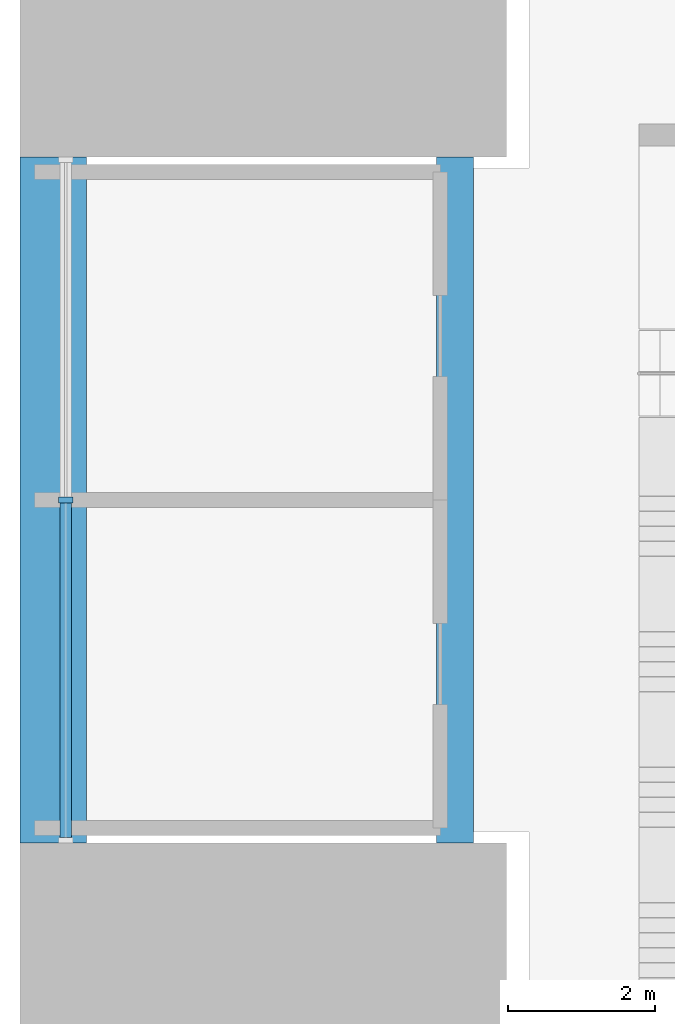
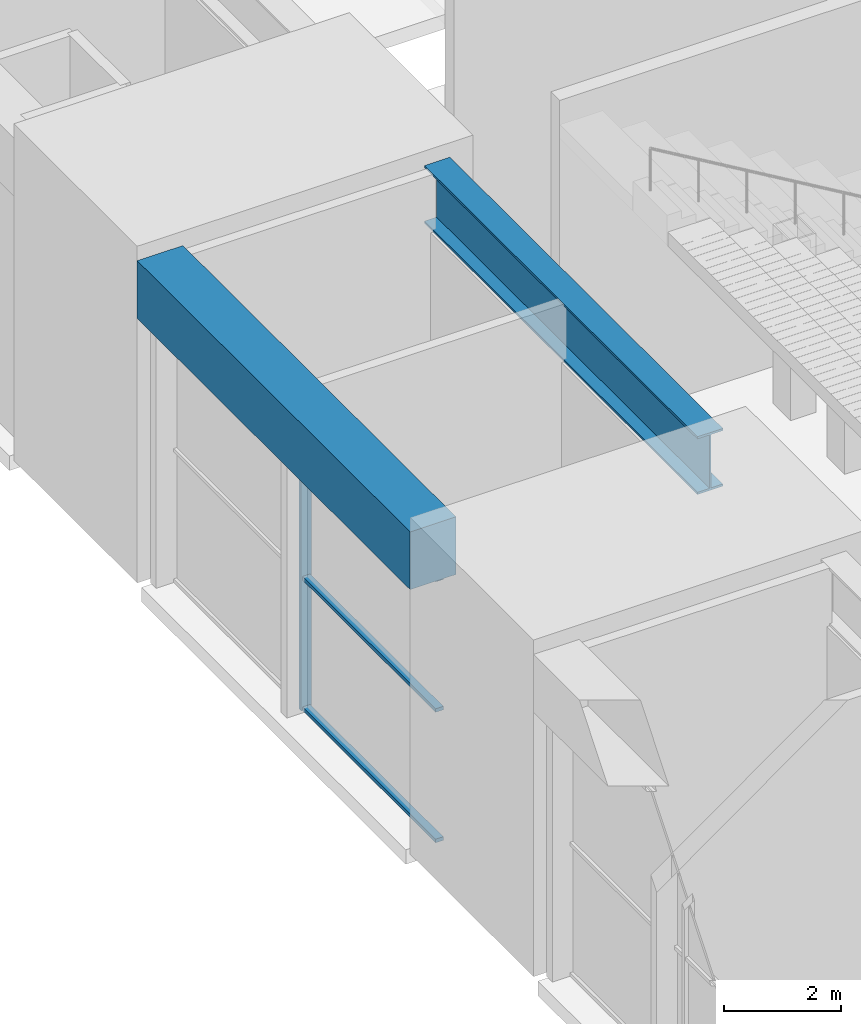
# One storey, part 5 of 62: 4 members, 2 beams, 1 element without a shape of its own.
"""IFC4 building model written with IfcOpenShell, lengths in metres."""

import ifcopenshell
import ifcopenshell.guid

model = None  # the IFC model being written
_history = None  # IfcOwnerHistory: only IFC2X3 demands one
_inside = {}  # id of a spatial element -> (the spatial element, [elements in it])
_under = {}  # id of a project, library or spatial element -> (it, [spatial elements below it])
_declared = {}  # id of a project -> (the project, [libraries it declares])
_typed = {}  # id of a type object -> (the type object, [elements of that type])
_made_of = {}  # id of a material, layer set ... -> (it, [elements and type objects made of it])


def new_model(schema):
    """Start an empty IFC model of exactly this schema.

    Asked for "IFC4X3", IfcOpenShell would pick the latest addendum, in which some entities
    have other attributes; the version numbers below select the first issue.
    IFC2X3 requires an IfcOwnerHistory on every rooted entity: one is made here for all.
    """
    global model, _history
    if schema == "IFC4X3":
        model = ifcopenshell.file(schema_version=(4, 3, 0, 0))
    else:
        model = ifcopenshell.file(schema=schema)
    _inside.clear()
    _under.clear()
    _declared.clear()
    _typed.clear()
    _made_of.clear()
    _history = None
    if model.schema == "IFC2X3":
        org = make("IfcOrganization", Name="unknown")
        user = make(
            "IfcPersonAndOrganization",
            ThePerson=make("IfcPerson", FamilyName="unknown"),
            TheOrganization=org,
        )
        app = make(
            "IfcApplication",
            ApplicationDeveloper=org,
            Version="unknown",
            ApplicationFullName="unknown",
            ApplicationIdentifier="unknown",
        )
        _history = make(
            "IfcOwnerHistory",
            OwningUser=user,
            OwningApplication=app,
            ChangeAction="ADDED",
            CreationDate=0,
        )
    return model


def make(cls, **values):
    """One entity of the class cls with the attributes given. An attribute that is None is left unset."""
    return model.create_entity(
        cls, **{name: value for name, value in values.items() if value is not None}
    )


def rooted(cls, **values):
    """An entity with a GlobalId (a new one), such as an element, a storey or a relation."""
    return make(cls, GlobalId=ifcopenshell.guid.new(), OwnerHistory=_history, **values)


def si_unit(unit_type, name, prefix=None):
    """IfcSIUnit, for example si_unit("LENGTHUNIT", "METRE", prefix="MILLI")."""
    return make("IfcSIUnit", UnitType=unit_type, Prefix=prefix, Name=name)


def assignment(units):
    """IfcUnitAssignment: the units of a project."""
    return None if units is None else make("IfcUnitAssignment", Units=units)


def point(xyz):
    """IfcCartesianPoint."""
    return None if xyz is None else make("IfcCartesianPoint", Coordinates=xyz)


def direction(xyz):
    """IfcDirection."""
    return None if xyz is None else make("IfcDirection", DirectionRatios=xyz)


def frame(location, z_axis=None, x_axis=None):
    """IfcAxis2Placement3D, a coordinate frame: its origin and axes. An axis left out is left unset."""
    return make(
        "IfcAxis2Placement3D",
        Location=point(location),
        Axis=direction(z_axis),
        RefDirection=direction(x_axis),
    )


def frame_2d(location, x_axis=None):
    """IfcAxis2Placement2D, a coordinate frame in the plane: its origin and x axis."""
    return make(
        "IfcAxis2Placement2D", Location=point(location), RefDirection=direction(x_axis)
    )


def origin():
    """The frame at (0, 0, 0) with its axes left unset."""
    return frame((0.0, 0.0, 0.0))


def origin_2d():
    """The frame at (0, 0) in the plane with its x axis left unset."""
    return frame_2d((0.0, 0.0))


def place(relative_to, where):
    """IfcLocalPlacement: puts the frame where relative to a parent placement (None: the world)."""
    return make(
        "IfcLocalPlacement", PlacementRelTo=relative_to, RelativePlacement=where
    )


def context(
    kind, dimensions, precision=None, world=None, true_north=None, identifier=None
):
    """IfcGeometricRepresentationContext, for example the 3D "Model" context."""
    return make(
        "IfcGeometricRepresentationContext",
        ContextIdentifier=identifier,
        ContextType=kind,
        CoordinateSpaceDimension=dimensions,
        Precision=precision,
        WorldCoordinateSystem=world,
        TrueNorth=true_north,
    )


def subcontext(parent, identifier, kind, view, scale=None):
    """IfcGeometricRepresentationSubContext, for example "Body" below "Model"."""
    return make(
        "IfcGeometricRepresentationSubContext",
        ContextIdentifier=identifier,
        ContextType=kind,
        ParentContext=parent,
        TargetScale=scale,
        TargetView=view,
    )


def project(units=None, contexts=None):
    """IfcProject with its units and contexts."""
    return rooted(
        "IfcProject",
        Name="project",
        RepresentationContexts=contexts,
        UnitsInContext=assignment(units),
    )


def spatial(cls, under=None, at=None, **own):
    """A site, building, storey or space (cls), placed at a placement, below another one or the project."""
    s = rooted(cls, ObjectPlacement=at, **own)
    if under is not None:
        _under.setdefault(under.id(), (under, []))[1].append(s)
    return s


def profile(cls, at=None, kind="AREA", **sizes):
    """A parametric profile (cls). Its sizes go by their IFC names, for example OverallWidth=200.0."""
    return make(cls, ProfileType=kind, Position=at, **sizes)


def rectangle(**sizes):
    """IfcRectangleProfileDef."""
    return profile("IfcRectangleProfileDef", **sizes)


def i_section(**sizes):
    """IfcIShapeProfileDef."""
    return profile("IfcIShapeProfileDef", **sizes)


def extrude(swept, where, along, depth):
    """IfcExtrudedAreaSolid: the profile swept, set in the frame where, extruded along a direction by depth."""
    return make(
        "IfcExtrudedAreaSolid",
        SweptArea=swept,
        Position=where,
        ExtrudedDirection=direction(along),
        Depth=depth,
    )


def shape(context_of_items, identifier, shape_type, items):
    """IfcShapeRepresentation: the items that make up one representation, for example the "Body"."""
    return make(
        "IfcShapeRepresentation",
        ContextOfItems=context_of_items,
        RepresentationIdentifier=identifier,
        RepresentationType=shape_type,
        Items=items,
    )


def material(Name=None, Category=None):
    """IfcMaterial."""
    return make("IfcMaterial", Name=Name, Category=Category)


def layer(
    of_material, thickness, ventilated=None, Name=None, Category=None, Priority=None
):
    """IfcMaterialLayer: one layer of a wall or slab, of a material (None: an air gap)."""
    return make(
        "IfcMaterialLayer",
        Material=of_material,
        LayerThickness=thickness,
        IsVentilated=ventilated,
        Name=Name,
        Category=Category,
        Priority=Priority,
    )


def layer_set(layers, Name=None):
    """IfcMaterialLayerSet."""
    return make("IfcMaterialLayerSet", MaterialLayers=layers, LayerSetName=Name)


def material_profile(
    of_material, cross_section, Name=None, Category=None, Priority=None
):
    """IfcMaterialProfile: a cross section and its material."""
    return make(
        "IfcMaterialProfile",
        Name=Name,
        Material=of_material,
        Profile=cross_section,
        Priority=Priority,
        Category=Category,
    )


def profile_set(profiles, Name=None, composite=None):
    """IfcMaterialProfileSet."""
    return make(
        "IfcMaterialProfileSet",
        Name=Name,
        MaterialProfiles=profiles,
        CompositeProfile=composite,
    )


def made_of(thing, what):
    """Note that an element or type object is made of a material, layer set ...; save() writes the relation."""
    if what is not None:
        _made_of.setdefault(what.id(), (what, []))[1].append(thing)
    return thing


def type_object(cls, material=None, **own):
    """A type object (cls), such as IfcWallType, which elements share."""
    return made_of(rooted(cls, **own), material)


def element(
    cls,
    number,
    at=None,
    inside=None,
    cuts=None,
    type_object=None,
    material=None,
    context=None,
    identifier="Body",
    shape_type=None,
    held_by="IfcProductDefinitionShape",
    body=None,
    shapes=None,
    **own,
):
    """One element of the class cls, such as IfcWall. Its Tag is "e" and its number.

    at: its placement. inside: the storey or other place that contains it. cuts: it is an
    opening in that element (IfcRelVoidsElement). A single representation is given by context,
    identifier, shape_type and body (its items); several are given by shapes. held_by: the class
    of the entity that holds the representations. save() writes the other relations.
    """
    e = rooted(cls, Tag="e%d" % number, ObjectPlacement=at, **own)
    if body is not None:
        shapes = [shape(context, identifier, shape_type, body)]
    if shapes is not None:
        e.Representation = make(held_by, Representations=shapes)
    if inside is not None:
        _inside.setdefault(inside.id(), (inside, []))[1].append(e)
    if cuts is not None:
        rooted(
            "IfcRelVoidsElement", RelatingBuildingElement=cuts, RelatedOpeningElement=e
        )
    if type_object is not None:
        _typed.setdefault(type_object.id(), (type_object, []))[1].append(e)
    return made_of(e, material)


def aggregate(whole, parts):
    """IfcRelAggregates: a whole, such as a stair, and the parts it consists of."""
    return rooted("IfcRelAggregates", RelatingObject=whole, RelatedObjects=parts)


def save(model, path):
    """Write the relations noted so far, then the file.

    IfcRelAggregates (storeys below a building ...), IfcRelContainedInSpatialStructure (elements
    in a storey), IfcRelDefinesByType, IfcRelAssociatesMaterial and IfcRelDeclares: one each for
    every whole, place, type object, material and project.
    """
    for whole, parts in _under.values():
        aggregate(whole, parts)
    for where, things in _inside.values():
        rooted(
            "IfcRelContainedInSpatialStructure",
            RelatedElements=things,
            RelatingStructure=where,
        )
    for kind, things in _typed.values():
        rooted("IfcRelDefinesByType", RelatedObjects=things, RelatingType=kind)
    for what, things in _made_of.values():
        rooted("IfcRelAssociatesMaterial", RelatedObjects=things, RelatingMaterial=what)
    for by, libraries in _declared.values():
        rooted("IfcRelDeclares", RelatingContext=by, RelatedDefinitions=libraries)
    model.write(path)


model = new_model("IFC4")

# Units and contexts
model_context = context("Model", 3, precision=1e-05, world=origin(), true_north=direction((0.0, 1.0)))
body_context = subcontext(model_context, "Body", "Model", "MODEL_VIEW")
ifc_project = project(units=[si_unit("LENGTHUNIT", "METRE"), si_unit("AREAUNIT", "SQUARE_METRE"), si_unit("VOLUMEUNIT", "CUBIC_METRE"), si_unit("PLANEANGLEUNIT", "RADIAN"), si_unit("MASSUNIT", "GRAM", prefix="KILO")], contexts=[model_context])

# Site, building, storey
site_placement = place(None, origin())
site = spatial("IfcSite", under=ifc_project, at=site_placement, CompositionType="ELEMENT")
building_placement = place(site_placement, origin())
building = spatial("IfcBuilding", under=site, at=building_placement, Name="Corbelhall Arena Tower", CompositionType="ELEMENT")
storey_placement = place(building_placement, frame((0.0, 0.0, 12.0)))
storey = spatial("IfcBuildingStorey", under=building, at=storey_placement, Name="L01", CompositionType="ELEMENT", Elevation=12.0)

# Curtain wall, members
ifc_material_1 = material(Name="Aluminium black anodised", Category="aluminium")
ifc_layer = layer(ifc_material_1, 0.239990234375)
ifc_layer_set = layer_set([ifc_layer], Name="EV-CW4 Arena concourse glazing")
curtain_wall_type = type_object("IfcCurtainWallType", Name="EV-CW4 Arena concourse glazing", PredefinedType="NOTDEFINED", material=ifc_layer_set)
curtain_wall_placement = place(storey_placement, origin())
curtain_wall = element("IfcCurtainWall", 1, at=curtain_wall_placement, inside=storey, type_object=curtain_wall_type, Name="Curtain wall CW4", PredefinedType="NOTDEFINED")
ifc_material_profile_1 = material_profile(ifc_material_1, rectangle(XDim=0.199951171875, YDim=0.074951171875, at=origin_2d()))
ifc_profile_set_1 = profile_set([ifc_material_profile_1], Name="Aluminium black anodised")
member_type_1 = type_object("IfcMemberType", Name="EV-CW4-MULLION", PredefinedType="MULLION", material=ifc_profile_set_1)
member_1_placement = place(storey_placement, frame((-47.3798828125, -6.75, 0.0), z_axis=(0.0, 0.0, 1.0), x_axis=(1.0, 0.0, 0.0)))
member_1 = element("IfcMember", 2, at=member_1_placement, type_object=member_type_1, Name="CW4 mullion 2", PredefinedType="MULLION", context=body_context, shape_type="SweptSolid", body=[
    extrude(rectangle(XDim=0.199951171875, YDim=0.074951171875, at=origin_2d()), origin(), (0.0, 0.0, 1.0), 5.5),
])
ifc_material_profile_2 = material_profile(ifc_material_1, rectangle(XDim=0.14990234375, YDim=0.074951171875, at=origin_2d()))
ifc_profile_set_2 = profile_set([ifc_material_profile_2], Name="Aluminium black anodised")
member_type_2 = type_object("IfcMemberType", Name="EV-CW4-TRANSOM", PredefinedType="USERDEFINED", material=ifc_profile_set_2)
member_2_placement = place(storey_placement, frame((-47.3798828125, -6.78759765625, 0.03759765625), z_axis=(0.0, -1.0, 0.0), x_axis=(1.0, 0.0, 0.0)))
member_2 = element("IfcMember", 3, at=member_2_placement, type_object=member_type_2, Name="CW4 transom 2.1", ObjectType="transom", PredefinedType="USERDEFINED", context=body_context, shape_type="SweptSolid", body=[
    extrude(rectangle(XDim=0.14990234375, YDim=0.074951171875, at=origin_2d()), origin(), (0.0, 0.0, 1.0), 4.537353515625),
])
member_3_placement = place(storey_placement, frame((-47.3798828125, -6.78759765625, 2.75), z_axis=(0.0, -1.0, 0.0), x_axis=(1.0, 0.0, 0.0)))
member_3 = element("IfcMember", 4, at=member_3_placement, type_object=member_type_2, Name="CW4 transom 2.2", ObjectType="transom", PredefinedType="USERDEFINED", context=body_context, shape_type="SweptSolid", body=[
    extrude(rectangle(XDim=0.14990234375, YDim=0.074951171875, at=origin_2d()), origin(), (0.0, 0.0, 1.0), 4.537353515625),
])
member_4_placement = place(storey_placement, frame((-47.3798828125, -6.78759765625, 5.46240234375), z_axis=(0.0, -1.0, 0.0), x_axis=(1.0, 0.0, 0.0)))
member_4 = element("IfcMember", 5, at=member_4_placement, type_object=member_type_2, Name="CW4 transom 2.3", ObjectType="transom", PredefinedType="USERDEFINED", context=body_context, shape_type="SweptSolid", body=[
    extrude(rectangle(XDim=0.14990234375, YDim=0.074951171875, at=origin_2d()), origin(), (0.0, 0.0, 1.0), 4.537353515625),
])
aggregate(curtain_wall, [member_1, member_2, member_3, member_4])

# Beams
ifc_material_2 = material(Name="Steel ASTM A572 Gr50", Category="steel")
ifc_material_profile_3 = material_profile(ifc_material_2, i_section(OverallWidth=0.5, OverallDepth=1.199951171875, WebThickness=0.02490234375, FlangeThickness=0.044921875, at=origin_2d()))
ifc_profile_set_3 = profile_set([ifc_material_profile_3], Name="Steel ASTM A572 Gr50")
beam_type_1 = type_object("IfcBeamType", Name="PO-GIRDER-PG1200X500X25X45", PredefinedType="BEAM", material=ifc_profile_set_3)
beam_1_placement = place(storey_placement, frame((-42.10009765625, -11.39990234375, 6.10009765625), z_axis=(0.0, 1.0, 0.0), x_axis=(-1.0, 0.0, 0.0)))
element("IfcBeam", 6, at=beam_1_placement, inside=storey, type_object=beam_type_1, Name="INNER END GIRDER", PredefinedType="BEAM", context=body_context, shape_type="SweptSolid", body=[
    extrude(i_section(OverallWidth=0.5, OverallDepth=1.199951171875, WebThickness=0.02490234375, FlangeThickness=0.044921875, at=origin_2d()), origin(), (0.0, 0.0, 1.0), 9.2998046875),
])
ifc_material_3 = material(Name="Concrete C80/95", Category="concrete")
ifc_material_profile_4 = material_profile(ifc_material_3, rectangle(XDim=0.89990234375, YDim=1.199951171875, at=origin_2d()))
ifc_profile_set_4 = profile_set([ifc_material_profile_4], Name="Concrete C80/95")
beam_type_2 = type_object("IfcBeamType", Name="PO-RING-BEAM", PredefinedType="BEAM", material=ifc_profile_set_4)
beam_2_placement = place(storey_placement, frame((-47.550048828125, -11.39990234375, 6.10009765625), z_axis=(0.0, 1.0, 0.0), x_axis=(-1.0, 0.0, 0.0)))
element("IfcBeam", 7, at=beam_2_placement, inside=storey, type_object=beam_type_2, Name="RING GIRDER L02 W2", PredefinedType="BEAM", context=body_context, shape_type="SweptSolid", body=[
    extrude(rectangle(XDim=0.89990234375, YDim=1.199951171875, at=origin_2d()), origin(), (0.0, 0.0, 1.0), 9.2998046875),
])

save(model, "model.ifc")
